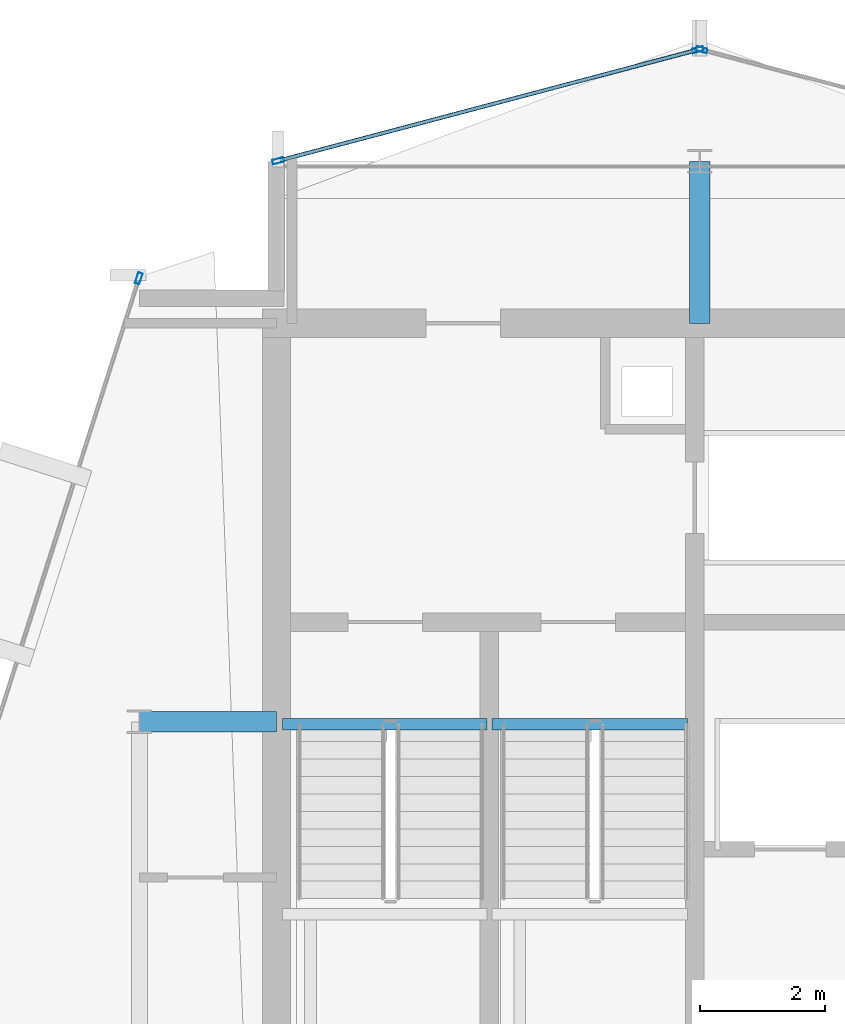
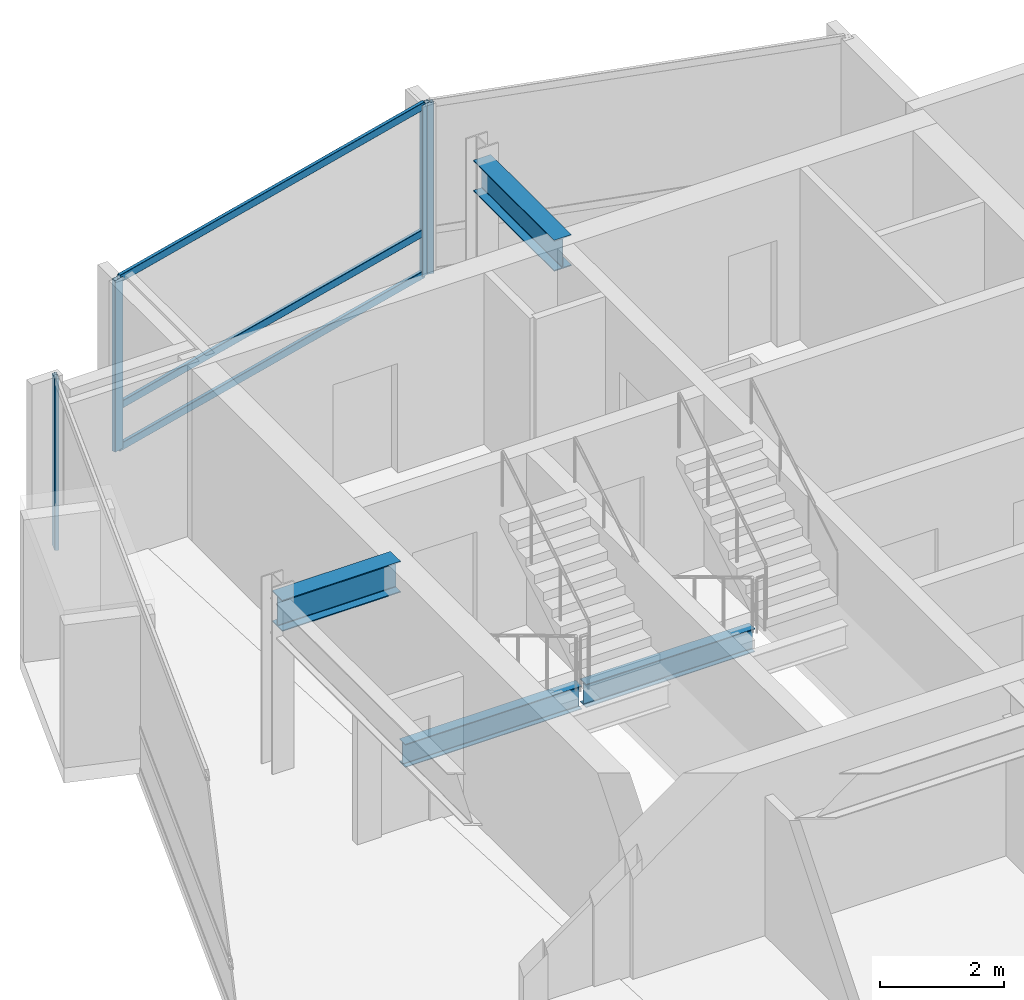
# One storey, part 11 of 19: 7 members, 4 beams, 3 elements without a shape of their own.
"""IFC4 building model written with IfcOpenShell, lengths in metres."""

from ifc_helpers import new_model, si_unit, direction, frame, origin, origin_2d, place, context, subcontext, project, spatial, hollow_rectangle, i_section, extrude, material, layer, layer_set, material_profile, profile_set, type_object, element, aggregate, save


model = new_model("IFC4")

# Units and contexts
model_context = context("Model", 3, precision=1e-05, world=origin(), true_north=direction((0.0, 1.0)))
body_context = subcontext(model_context, "Body", "Model", "MODEL_VIEW")
ifc_project = project(units=[si_unit("LENGTHUNIT", "METRE"), si_unit("AREAUNIT", "SQUARE_METRE"), si_unit("VOLUMEUNIT", "CUBIC_METRE"), si_unit("PLANEANGLEUNIT", "RADIAN"), si_unit("MASSUNIT", "GRAM", prefix="KILO")], contexts=[model_context])

# Site, building, storey
site_placement = place(None, origin())
site = spatial("IfcSite", under=ifc_project, at=site_placement, CompositionType="ELEMENT")
building_placement = place(site_placement, origin())
building = spatial("IfcBuilding", under=site, at=building_placement, Name="Solvaryn Broadcast Tower", CompositionType="ELEMENT")
storey_placement = place(building_placement, frame((0.0, 0.0, 281.5)))
storey = spatial("IfcBuildingStorey", under=building, at=storey_placement, Name="L71", CompositionType="ELEMENT", Elevation=281.5)

# Beams
ifc_material_1 = material(Name="Steel ASTM A992 Grade 50", Category="steel")
ifc_material_profile_1 = material_profile(ifc_material_1, i_section(OverallWidth=0.323974609375, OverallDepth=0.611083984375, WebThickness=0.0126953125, FlangeThickness=0.01904296875, FilletRadius=0.014892578125, at=origin_2d()))
ifc_profile_set_1 = profile_set([ifc_material_profile_1], Name="Steel ASTM A992 Grade 50")
beam_type_1 = type_object("IfcBeamType", Name="BM-B1-W24X104", PredefinedType="BEAM", material=ifc_profile_set_1)
beam_1_placement = place(storey_placement, frame((9.0, 36.0, 3.064453125), z_axis=(1.0, 0.0, 0.0), x_axis=(0.0, 1.0, 0.0)))
element("IfcBeam", 1, at=beam_1_placement, inside=storey, type_object=beam_type_1, Name="L71 Core Tie Beam CTW1", PredefinedType="BEAM", context=body_context, shape_type="SweptSolid", body=[
    extrude(i_section(OverallWidth=0.323974609375, OverallDepth=0.611083984375, WebThickness=0.0126953125, FlangeThickness=0.01904296875, FilletRadius=0.014892578125, at=origin_2d()), origin(), (0.0, 0.0, 1.0), 2.199951171875),
])
beam_2_placement = place(storey_placement, frame((18.0, 42.39990234375, 3.064453125), z_axis=(0.0, 1.0, 0.0), x_axis=(-1.0, 0.0, 0.0)))
element("IfcBeam", 2, at=beam_2_placement, inside=storey, type_object=beam_type_1, Name="L71 Core Tie Beam CTW3", PredefinedType="BEAM", context=body_context, shape_type="SweptSolid", body=[
    extrude(i_section(OverallWidth=0.323974609375, OverallDepth=0.611083984375, WebThickness=0.0126953125, FlangeThickness=0.01904296875, FilletRadius=0.014892578125, at=origin_2d()), origin(), (0.0, 0.0, 1.0), 2.60009765625),
])
ifc_material_2 = material(Name="Steel ASTM A992 Grade 50", Category="steel")
ifc_material_profile_2 = material_profile(ifc_material_2, i_section(OverallWidth=0.18994140625, OverallDepth=0.45703125, WebThickness=0.009033203125, FlangeThickness=0.014404296875, FilletRadius=0.011962890625, at=origin_2d()))
ifc_profile_set_2 = profile_set([ifc_material_profile_2], Name="Steel ASTM A992 Grade 50")
beam_type_2 = type_object("IfcBeamType", Name="BM-B4-W18X50", PredefinedType="BEAM", material=ifc_profile_set_2)
beam_3_placement = place(storey_placement, frame((11.300048828125, 35.9599609375, -0.508544921875), z_axis=(1.0, 0.0, 0.0), x_axis=(0.0, 1.0, 0.0)))
element("IfcBeam", 3, at=beam_3_placement, inside=storey, type_object=beam_type_2, Name="L71 ST1 Stair Well Trimmer Beam", PredefinedType="BEAM", context=body_context, shape_type="SweptSolid", body=[
    extrude(i_section(OverallWidth=0.18994140625, OverallDepth=0.45703125, WebThickness=0.009033203125, FlangeThickness=0.014404296875, FilletRadius=0.011962890625, at=origin_2d()), origin(), (0.0, 0.0, 1.0), 3.280029296875),
])
beam_4_placement = place(storey_placement, frame((14.659912109375, 35.9599609375, -0.508544921875), z_axis=(1.0, 0.0, 0.0), x_axis=(0.0, 1.0, 0.0)))
element("IfcBeam", 4, at=beam_4_placement, inside=storey, type_object=beam_type_2, Name="L71 ST2 Stair Well Trimmer Beam", PredefinedType="BEAM", context=body_context, shape_type="SweptSolid", body=[
    extrude(i_section(OverallWidth=0.18994140625, OverallDepth=0.45703125, WebThickness=0.009033203125, FlangeThickness=0.014404296875, FilletRadius=0.011962890625, at=origin_2d()), origin(), (0.0, 0.0, 1.0), 3.14013671875),
])

# Curtain wall, member
ifc_material_3 = material(Name="Aluminium and Terracotta Unitised Curtain Wall", Category="masonry")
ifc_layer = layer(ifc_material_3, 0.199951171875)
ifc_layer_set = layer_set([ifc_layer], Name="CW-SYS2-LOWMID")
curtain_wall_type = type_object("IfcCurtainWallType", Name="CW-SYS2-LOWMID", PredefinedType="NOTDEFINED", material=ifc_layer_set)
curtain_wall_1_placement = place(storey_placement, origin())
curtain_wall_1 = element("IfcCurtainWall", 5, at=curtain_wall_1_placement, inside=storey, type_object=curtain_wall_type, Name="L71 Curtain Wall DR1", PredefinedType="NOTDEFINED")
ifc_material_4 = material(Name="Anodised Aluminium 6063-T6", Category="aluminium")
ifc_material_profile_3 = material_profile(ifc_material_4, hollow_rectangle(XDim=0.074951171875, YDim=0.179931640625, WallThickness=0.00390625, InnerFilletRadius=0.00390625, OuterFilletRadius=0.008056640625, at=origin_2d()))
ifc_profile_set_3 = profile_set([ifc_material_profile_3], Name="Anodised Aluminium 6063-T6")
member_type_1 = type_object("IfcMemberType", Name="CW-MUL-180", PredefinedType="MULLION", material=ifc_profile_set_3)
member_1_placement = place(storey_placement, frame((8.990966796875, 43.120361328125, 0.0), z_axis=(0.0, 0.0, 1.0), x_axis=(0.952794594701, -0.30361564569, 0.0)))
member_1 = element("IfcMember", 6, at=member_1_placement, type_object=member_type_1, Name="CWS2 mullion 1", PredefinedType="MULLION", context=body_context, shape_type="SweptSolid", body=[
    extrude(hollow_rectangle(XDim=0.074951171875, YDim=0.179931640625, WallThickness=0.00390625, InnerFilletRadius=0.00390625, OuterFilletRadius=0.008056640625, at=origin_2d()), origin(), (0.0, 0.0, 1.0), 3.3701171875),
])
aggregate(curtain_wall_1, [member_1])

curtain_wall_2_placement = place(storey_placement, origin())
curtain_wall_2 = element("IfcCurtainWall", 7, at=curtain_wall_2_placement, inside=storey, type_object=curtain_wall_type, Name="L71 Curtain Wall NT1", PredefinedType="NOTDEFINED")
member_2_placement = place(storey_placement, frame((18.029052734375, 46.792236328125, 0.0), z_axis=(0.0, 0.0, 1.0), x_axis=(-0.25589256031, -0.966705227863, 0.0)))
member_2 = element("IfcMember", 8, at=member_2_placement, type_object=member_type_1, Name="CWS2 mullion 2", PredefinedType="MULLION", context=body_context, shape_type="SweptSolid", body=[
    extrude(hollow_rectangle(XDim=0.074951171875, YDim=0.179931640625, WallThickness=0.00390625, InnerFilletRadius=0.00390625, OuterFilletRadius=0.008056640625, at=origin_2d()), origin(), (0.0, 0.0, 1.0), 3.3701171875),
])
aggregate(curtain_wall_2, [member_2])

# Curtain wall, members
curtain_wall_3_placement = place(storey_placement, origin())
curtain_wall_3 = element("IfcCurtainWall", 9, at=curtain_wall_3_placement, inside=storey, type_object=curtain_wall_type, Name="L71 Curtain Wall NT2", PredefinedType="NOTDEFINED")
member_3_placement = place(storey_placement, frame((17.970947265625, 46.792236328125, 0.0), z_axis=(0.0, 0.0, 1.0), x_axis=(0.25589256031, -0.966705227863, 0.0)))
member_3 = element("IfcMember", 10, at=member_3_placement, type_object=member_type_1, Name="CWS2 mullion 1", PredefinedType="MULLION", context=body_context, shape_type="SweptSolid", body=[
    extrude(hollow_rectangle(XDim=0.074951171875, YDim=0.179931640625, WallThickness=0.00390625, InnerFilletRadius=0.00390625, OuterFilletRadius=0.008056640625, at=origin_2d()), origin(), (0.0, 0.0, 1.0), 3.3701171875),
])
member_4_placement = place(storey_placement, frame((11.22900390625, 45.007568359375, 0.0), z_axis=(0.0, 0.0, 1.0), x_axis=(0.25589256031, -0.966705227863, 0.0)))
member_4 = element("IfcMember", 11, at=member_4_placement, type_object=member_type_1, Name="CWS2 mullion 2", PredefinedType="MULLION", context=body_context, shape_type="SweptSolid", body=[
    extrude(hollow_rectangle(XDim=0.074951171875, YDim=0.179931640625, WallThickness=0.00390625, InnerFilletRadius=0.00390625, OuterFilletRadius=0.008056640625, at=origin_2d()), origin(), (0.0, 0.0, 1.0), 3.3701171875),
])
ifc_material_5 = material(Name="Anodised Aluminium 6063-T6", Category="aluminium")
ifc_material_profile_4 = material_profile(ifc_material_5, hollow_rectangle(XDim=0.06494140625, YDim=0.14990234375, WallThickness=0.00390625, InnerFilletRadius=0.00390625, OuterFilletRadius=0.008056640625, at=origin_2d()))
ifc_profile_set_4 = profile_set([ifc_material_profile_4], Name="Anodised Aluminium 6063-T6")
member_type_2 = type_object("IfcMemberType", Name="CW-TRN-150", PredefinedType="USERDEFINED", material=ifc_profile_set_4)
member_5_placement = place(storey_placement, frame((17.94189453125, 46.78466796875, 0.030029296875), z_axis=(-0.966703943301, -0.255897413051, 0.0), x_axis=(0.255897413051, -0.966703943301, 0.0)))
member_5 = element("IfcMember", 12, at=member_5_placement, type_object=member_type_2, Name="CWS2 transom 1.1", ObjectType="TRANSOM", PredefinedType="USERDEFINED", context=body_context, shape_type="SweptSolid", body=[
    extrude(hollow_rectangle(XDim=0.06494140625, YDim=0.14990234375, WallThickness=0.00390625, InnerFilletRadius=0.00390625, OuterFilletRadius=0.008056640625, at=origin_2d()), origin(), (0.0, 0.0, 1.0), 6.9140625),
])
member_6_placement = place(storey_placement, frame((17.94189453125, 46.78466796875, 0.85009765625), z_axis=(-0.966703943301, -0.255897413051, 0.0), x_axis=(0.255897413051, -0.966703943301, 0.0)))
member_6 = element("IfcMember", 13, at=member_6_placement, type_object=member_type_2, Name="CWS2 transom 1.2", ObjectType="TRANSOM", PredefinedType="USERDEFINED", context=body_context, shape_type="SweptSolid", body=[
    extrude(hollow_rectangle(XDim=0.06494140625, YDim=0.14990234375, WallThickness=0.00390625, InnerFilletRadius=0.00390625, OuterFilletRadius=0.008056640625, at=origin_2d()), origin(), (0.0, 0.0, 1.0), 6.9140625),
])
member_7_placement = place(storey_placement, frame((17.94189453125, 46.78466796875, 3.340087890625), z_axis=(-0.966703943301, -0.255897413051, 0.0), x_axis=(0.255897413051, -0.966703943301, 0.0)))
member_7 = element("IfcMember", 14, at=member_7_placement, type_object=member_type_2, Name="CWS2 transom 1.3", ObjectType="TRANSOM", PredefinedType="USERDEFINED", context=body_context, shape_type="SweptSolid", body=[
    extrude(hollow_rectangle(XDim=0.06494140625, YDim=0.14990234375, WallThickness=0.00390625, InnerFilletRadius=0.00390625, OuterFilletRadius=0.008056640625, at=origin_2d()), origin(), (0.0, 0.0, 1.0), 6.9140625),
])
aggregate(curtain_wall_3, [member_3, member_4, member_5, member_6, member_7])

save(model, "model.ifc")
